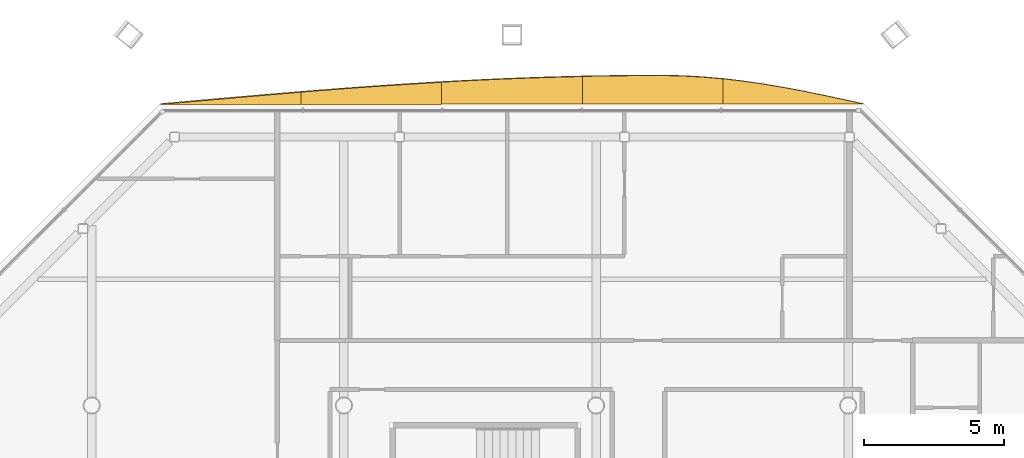
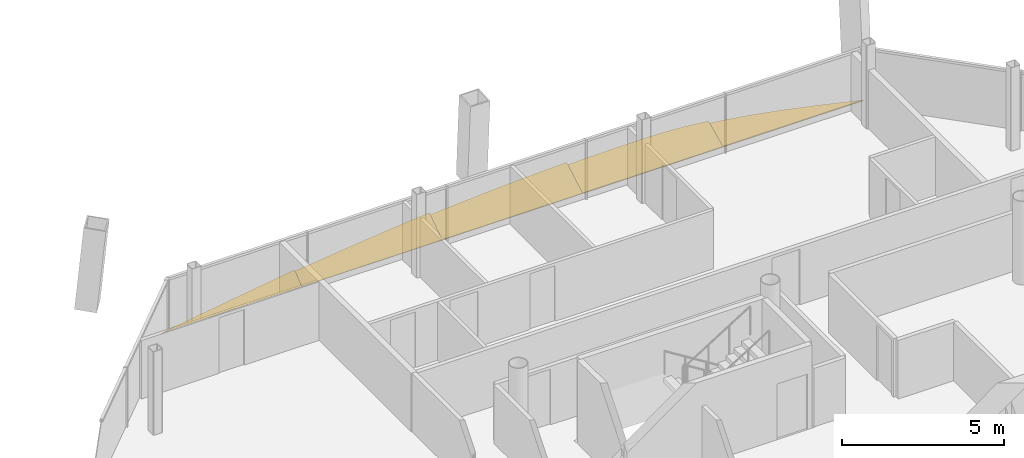
# One storey, part 19 of 19: 5 shading devices.
"""IFC4 building model written with IfcOpenShell, lengths in metres."""

from ifc_helpers import new_model, si_unit, direction, frame, origin, place, context, subcontext, project, spatial, polyline, outline, extrude, material, layer, layer_set, type_object, element, save


model = new_model("IFC4")

# Units and contexts
model_context = context("Model", 3, precision=1e-05, world=origin(), true_north=direction((0.0, 1.0)))
body_context = subcontext(model_context, "Body", "Model", "MODEL_VIEW")
ifc_project = project(units=[si_unit("LENGTHUNIT", "METRE"), si_unit("AREAUNIT", "SQUARE_METRE"), si_unit("VOLUMEUNIT", "CUBIC_METRE"), si_unit("PLANEANGLEUNIT", "RADIAN"), si_unit("MASSUNIT", "GRAM", prefix="KILO")], contexts=[model_context])

# Site, building, storey
site_placement = place(None, origin())
site = spatial("IfcSite", under=ifc_project, at=site_placement, CompositionType="ELEMENT")
building_placement = place(site_placement, origin())
building = spatial("IfcBuilding", under=site, at=building_placement, Name="Tskaro Facet Tower", CompositionType="ELEMENT")
storey_placement = place(building_placement, frame((0.0, 0.0, 206.85009765625)))
storey = spatial("IfcBuildingStorey", under=building, at=storey_placement, Name="L53", CompositionType="ELEMENT", Elevation=206.85009765625)

# Shading devices
ifc_material = material(Name="Bronze anodised aluminium 6063-T6", Category="aluminium")
ifc_layer = layer(ifc_material, 0.06005859375, Name="Bronze anodised aluminium 6063-T6")
ifc_layer_set = layer_set([ifc_layer], Name="Bronze anodised aluminium 6063-T6")
shading_device_type = type_object("IfcShadingDeviceType", Name="Bronze sun blade (FN1)", PredefinedType="USERDEFINED", material=ifc_layer_set)
shading_device_1_placement = place(storey_placement, frame((9.54296875, 19.762451171875, 0.056396484375), z_axis=(9.456296e-06, -0.341943771921, 0.939720414142), x_axis=(-0.999999999955, -3.233521e-06, 8.886274e-06)))
element("IfcShadingDevice", 1, at=shading_device_1_placement, inside=storey, type_object=shading_device_type, Name="Fin blade north 1", ObjectType="FIN", PredefinedType="USERDEFINED", context=body_context, shape_type="SweptSolid", body=[
    extrude(outline(polyline([(0.0, 0.0), (5.0170898435256825, 0.0), (5.017089843960605, -0.9566052781786603), (4.300537108615287, -0.8669352444488208), (3.5837402350536807, -0.7565737901259811), (2.8669433595560028, -0.6282115431642173), (2.1501464842859823, -0.4847895786161915), (1.4333496098284817, -0.32970781939305427), (0.7167968736449818, -0.16674155389824874), (0.0, 0.0)])), origin(), (0.0, 0.0, -1.0), 0.06005859375),
])
shading_device_2_placement = place(storey_placement, frame((4.52587890625, 19.757568359375, 0.05419921875), z_axis=(-6.716549e-06, -0.42264611244, 0.906294799496), x_axis=(-0.999999999977, 2.838723e-06, -6.087174e-06)))
element("IfcShadingDevice", 2, at=shading_device_2_placement, inside=storey, type_object=shading_device_type, Name="Fin blade north 2", ObjectType="FIN", PredefinedType="USERDEFINED", context=body_context, shape_type="SweptSolid", body=[
    extrude(outline(polyline([(0.0, 0.0), (5.017333984261829, 0.0), (5.017333984805471, -1.0896174394837643), (4.300537109299978, -1.104469737554349), (3.5837402345947313, -1.114956340875943), (2.866943359203607, -1.1211804345345935), (2.2578124995422533, -1.1228175700654652), (2.150390624644707, -1.1222718582218412), (1.4335937498896132, -1.105015449397973), (0.7167968748846091, -1.0611074521158899), (1.226807745962888e-10, -0.9918605534416283), (0.0, 0.0)])), origin(), (0.0, 0.0, -1.0), 0.06005859375),
])
shading_device_3_placement = place(storey_placement, frame((-0.491455078125, 19.7529296875, 0.0517578125), z_axis=(1.1452839e-05, -0.500030689254, 0.866007684535), x_axis=(-0.999999999934, -5.726771e-06, 9.918246e-06)))
element("IfcShadingDevice", 3, at=shading_device_3_placement, inside=storey, type_object=shading_device_type, Name="Fin blade north 3", ObjectType="FIN", PredefinedType="USERDEFINED", context=body_context, shape_type="SweptSolid", body=[
    extrude(outline(polyline([(0.0, 0.0), (5.01708984342096, 0.0), (5.017089843161861, -0.9091630679344007), (4.300292968303307, -0.9545561566362778), (3.5837402356702217, -0.9958012080375773), (2.866943358794918, -1.0331989996480397), (2.1501464835201, -1.0664487539579246), (1.4333496098457683, -1.095550470967232), (0.7167968749521507, -1.1200485674085874), (-1.387411454482165e-09, -1.1402765487443638), (0.0, 0.0)])), origin(), (0.0, 0.0, -1.0), 0.06005859375),
])
shading_device_4_placement = place(storey_placement, frame((-5.508544921875, 19.74853515625, 0.049072265625), z_axis=(-1.521996e-05, -0.573508621821, 0.81919952421), x_axis=(-0.999999999884, 8.728778e-06, -1.2468184e-05)))
element("IfcShadingDevice", 4, at=shading_device_4_placement, inside=storey, type_object=shading_device_type, Name="Fin blade north 4", ObjectType="FIN", PredefinedType="USERDEFINED", context=body_context, shape_type="SweptSolid", body=[
    extrude(outline(polyline([(0.0, 0.0), (5.017333983793875, 4.249847192144318e-21), (5.017333985773228, -0.5318807176809082), (4.300537110307408, -0.6016434380609863), (3.5837402330131445, -0.6691060756032048), (2.8669433578473678, -0.7337885969169191), (2.15039062543505, -0.7956910020021295), (1.4335937502641491, -0.8544132910911088), (0.7167968738725773, -0.9096154475466031), (-6.956751386816677e-10, -0.9611574546152222), (0.0, 0.0)])), origin(), (0.0, 0.0, -1.0), 0.06005859375),
])
shading_device_5_placement = place(storey_placement, frame((-10.52587890625, 19.744384765625, 0.0458984375), z_axis=(1.3483416e-05, -0.642679683453, 0.766134990909), x_axis=(-0.999999999909, -8.665517e-06, 1.0330117e-05)))
element("IfcShadingDevice", 5, at=shading_device_5_placement, inside=storey, type_object=shading_device_type, Name="Fin blade north 5", ObjectType="FIN", PredefinedType="USERDEFINED", context=body_context, shape_type="SweptSolid", body=[
    extrude(outline(polyline([(0.0, 0.0), (5.017089843293941, 0.0), (4.300292969317278, -0.08386858219808968), (3.5837402334435913, -0.16758026017657204), (2.866943358247739, -0.25041699568924425), (2.1501464843546993, -0.3323787887361064), (1.4333496109516792, -0.41277774152687996), (0.7165527334010726, -0.49164399451748975), (-9.18931577671412e-10, -0.5687603625764792), (0.0, 0.0)])), origin(), (0.0, 0.0, -1.0), 0.06005859375),
])

save(model, "model.ifc")
